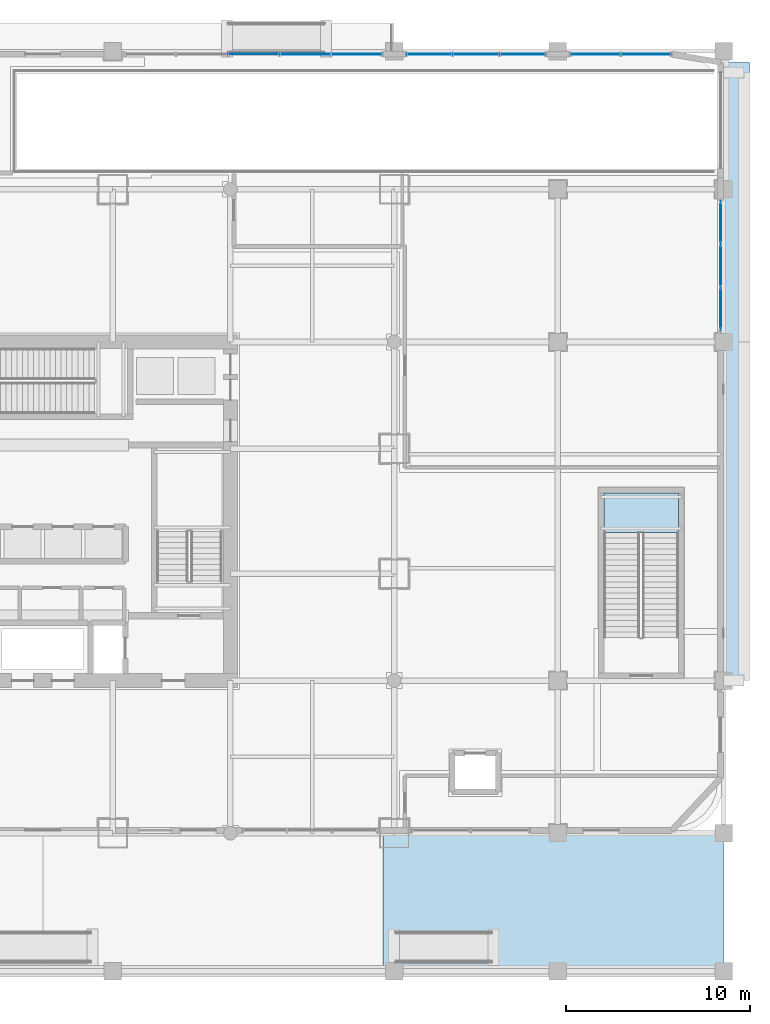
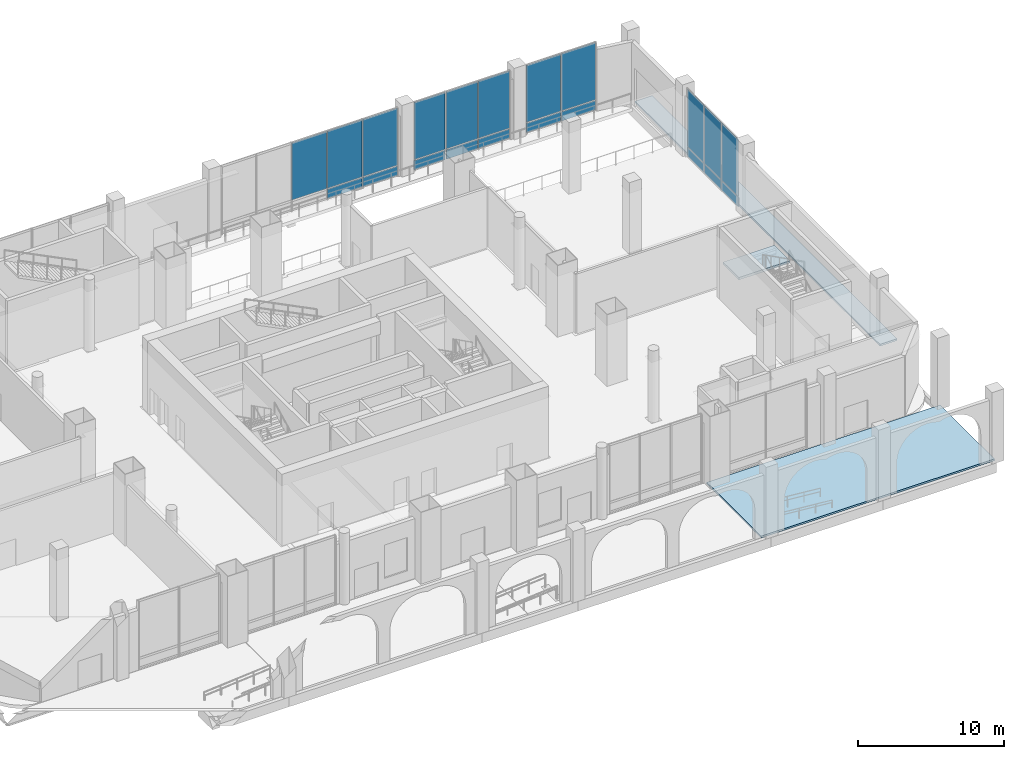
# One storey, part 18 of 32: 21 plates, 3 slabs, 5 elements without a shape of their own.
"""IFC4 building model written with IfcOpenShell, lengths in metres."""

from ifc_helpers import new_model, si_unit, direction, frame, origin, origin_2d, place, context, subcontext, project, spatial, polyline, rectangle, outline, extrude, material, layer, layer_set, type_object, element, aggregate, save


model = new_model("IFC4")

# Units and contexts
model_context = context("Model", 3, precision=1e-05, world=origin(), true_north=direction((0.0, 1.0)))
body_context = subcontext(model_context, "Body", "Model", "MODEL_VIEW")
ifc_project = project(units=[si_unit("LENGTHUNIT", "METRE"), si_unit("AREAUNIT", "SQUARE_METRE"), si_unit("VOLUMEUNIT", "CUBIC_METRE"), si_unit("PLANEANGLEUNIT", "RADIAN"), si_unit("MASSUNIT", "GRAM", prefix="KILO")], contexts=[model_context])

# Site, building, storey
site_placement = place(None, origin())
site = spatial("IfcSite", under=ifc_project, at=site_placement, CompositionType="ELEMENT")
building_placement = place(site_placement, origin())
building = spatial("IfcBuilding", under=site, at=building_placement, Name="Punatoya Terracotta Tower", CompositionType="ELEMENT")
storey_placement = place(building_placement, origin())
storey = spatial("IfcBuildingStorey", under=building, at=storey_placement, Name="L00", CompositionType="ELEMENT", Elevation=0.0)

# Curtain wall, plates
ifc_material_1 = material(Name="Aluminium 6063-T6 + Double Low-E Glass", Category="aluminium")
curtain_wall_type = type_object("IfcCurtainWallType", Name="CW-POD", PredefinedType="NOTDEFINED", material=ifc_material_1)
curtain_wall_1_placement = place(storey_placement, origin())
curtain_wall_1 = element("IfcCurtainWall", 1, at=curtain_wall_1_placement, inside=storey, type_object=curtain_wall_type, Name="L00 Curtain Wall CWP-L00-N2-1", PredefinedType="NOTDEFINED")
ifc_material_2 = material(Name="Double Low-E Clear Vision Glass", Category="glass")
ifc_layer_1 = layer(ifc_material_2, 0.028076171875)
ifc_layer_set_1 = layer_set([ifc_layer_1], Name="Double Low-E Clear Vision Glass")
plate_type_1 = type_object("IfcPlateType", Name="PLT-GLZ-28", PredefinedType="CURTAIN_PANEL", material=ifc_layer_set_1)
plate_1_placement = place(storey_placement, frame((11.449951171875, 24.840087890625, 0.889892578125), z_axis=(0.0, 0.0, 1.0), x_axis=(1.0, 0.0, 0.0)))
plate_1 = element("IfcPlate", 2, at=plate_1_placement, type_object=plate_type_1, Name="CWP-L00-N2-1 Vision Glass Panel 3", PredefinedType="CURTAIN_PANEL", context=body_context, shape_type="SweptSolid", body=[
    extrude(rectangle(XDim=2.72705078125, YDim=0.028076171875, at=origin_2d()), origin(), (0.0, 0.0, 1.0), 4.7900390625),
])
plate_2_placement = place(storey_placement, frame((14.261962890625, 24.840087890625, 0.889892578125), z_axis=(0.0, 0.0, 1.0), x_axis=(1.0, 0.0, 0.0)))
plate_2 = element("IfcPlate", 3, at=plate_2_placement, type_object=plate_type_1, Name="CWP-L00-N2-1 Vision Glass Panel 4", PredefinedType="CURTAIN_PANEL", context=body_context, shape_type="SweptSolid", body=[
    extrude(rectangle(XDim=2.72705078125, YDim=0.028076171875, at=origin_2d()), origin(), (0.0, 0.0, 1.0), 4.7900390625),
])
plate_3_placement = place(storey_placement, frame((17.073974609375, 24.840087890625, 0.889892578125), z_axis=(0.0, 0.0, 1.0), x_axis=(1.0, 0.0, 0.0)))
plate_3 = element("IfcPlate", 4, at=plate_3_placement, type_object=plate_type_1, Name="CWP-L00-N2-1 Vision Glass Panel 5", PredefinedType="CURTAIN_PANEL", context=body_context, shape_type="SweptSolid", body=[
    extrude(rectangle(XDim=2.72705078125, YDim=0.028076171875, at=origin_2d()), origin(), (0.0, 0.0, 1.0), 4.7900390625),
])

curtain_wall_2_placement = place(storey_placement, origin())
curtain_wall_2 = element("IfcCurtainWall", 5, at=curtain_wall_2_placement, inside=storey, type_object=curtain_wall_type, Name="L00 Curtain Wall CWP-L00-N2-2", PredefinedType="NOTDEFINED")
plate_4_placement = place(storey_placement, frame((20.99658203125, 24.840087890625, 0.889892578125), z_axis=(0.0, 0.0, 1.0), x_axis=(1.0, 0.0, 0.0)))
plate_4 = element("IfcPlate", 6, at=plate_4_placement, type_object=plate_type_1, Name="CWP-L00-N2-2 Vision Glass Panel 1", PredefinedType="CURTAIN_PANEL", context=body_context, shape_type="SweptSolid", body=[
    extrude(rectangle(XDim=2.46826171875, YDim=0.028076171875, at=origin_2d()), origin(), (0.0, 0.0, 1.0), 4.7900390625),
])
plate_5_placement = place(storey_placement, frame((23.550048828125, 24.840087890625, 0.889892578125), z_axis=(0.0, 0.0, 1.0), x_axis=(1.0, 0.0, 0.0)))
plate_5 = element("IfcPlate", 7, at=plate_5_placement, type_object=plate_type_1, Name="CWP-L00-N2-2 Vision Glass Panel 2", PredefinedType="CURTAIN_PANEL", context=body_context, shape_type="SweptSolid", body=[
    extrude(rectangle(XDim=2.46826171875, YDim=0.028076171875, at=origin_2d()), origin(), (0.0, 0.0, 1.0), 4.7900390625),
])
plate_6_placement = place(storey_placement, frame((26.103271484375, 24.840087890625, 0.889892578125), z_axis=(0.0, 0.0, 1.0), x_axis=(1.0, 0.0, 0.0)))
plate_6 = element("IfcPlate", 8, at=plate_6_placement, type_object=plate_type_1, Name="CWP-L00-N2-2 Vision Glass Panel 3", PredefinedType="CURTAIN_PANEL", context=body_context, shape_type="SweptSolid", body=[
    extrude(rectangle(XDim=2.46826171875, YDim=0.028076171875, at=origin_2d()), origin(), (0.0, 0.0, 1.0), 4.7900390625),
])

curtain_wall_3_placement = place(storey_placement, origin())
curtain_wall_3 = element("IfcCurtainWall", 9, at=curtain_wall_3_placement, inside=storey, type_object=curtain_wall_type, Name="L00 Curtain Wall CWP-L00-N2-3", PredefinedType="NOTDEFINED")
plate_7_placement = place(storey_placement, frame((30.014892578125, 24.840087890625, 0.889892578125), z_axis=(0.0, 0.0, 1.0), x_axis=(1.0, 0.0, 0.0)))
plate_7 = element("IfcPlate", 10, at=plate_7_placement, type_object=plate_type_1, Name="CWP-L00-N2-3 Vision Glass Panel 1", PredefinedType="CURTAIN_PANEL", context=body_context, shape_type="SweptSolid", body=[
    extrude(rectangle(XDim=2.705078125, YDim=0.028076171875, at=origin_2d()), origin(), (0.0, 0.0, 1.0), 4.7900390625),
])
plate_8_placement = place(storey_placement, frame((32.804931640625, 24.840087890625, 0.889892578125), z_axis=(0.0, 0.0, 1.0), x_axis=(1.0, 0.0, 0.0)))
plate_8 = element("IfcPlate", 11, at=plate_8_placement, type_object=plate_type_1, Name="CWP-L00-N2-3 Vision Glass Panel 2", PredefinedType="CURTAIN_PANEL", context=body_context, shape_type="SweptSolid", body=[
    extrude(rectangle(XDim=2.705078125, YDim=0.028076171875, at=origin_2d()), origin(), (0.0, 0.0, 1.0), 4.7900390625),
])

curtain_wall_4_placement = place(storey_placement, origin())
curtain_wall_4 = element("IfcCurtainWall", 12, at=curtain_wall_4_placement, inside=storey, type_object=curtain_wall_type, Name="L00 Curtain Wall CWP-L00-E1", PredefinedType="NOTDEFINED")
plate_9_placement = place(storey_placement, frame((36.840087890625, 15.703369140625, 0.889892578125), z_axis=(0.0, 0.0, 1.0), x_axis=(0.0, -1.0, 0.0)))
plate_9 = element("IfcPlate", 13, at=plate_9_placement, type_object=plate_type_1, Name="CWP-L00-E1 Vision Glass Panel 1", PredefinedType="CURTAIN_PANEL", context=body_context, shape_type="SweptSolid", body=[
    extrude(rectangle(XDim=2.268310546875, YDim=0.028076171875, at=origin_2d()), origin(), (0.0, 0.0, 1.0), 4.7900390625),
])
plate_10_placement = place(storey_placement, frame((36.840087890625, 13.35009765625, 0.889892578125), z_axis=(0.0, 0.0, 1.0), x_axis=(0.0, -1.0, 0.0)))
plate_10 = element("IfcPlate", 14, at=plate_10_placement, type_object=plate_type_1, Name="CWP-L00-E1 Vision Glass Panel 2", PredefinedType="CURTAIN_PANEL", context=body_context, shape_type="SweptSolid", body=[
    extrude(rectangle(XDim=2.268310546875, YDim=0.028076171875, at=origin_2d()), origin(), (0.0, 0.0, 1.0), 4.7900390625),
])
plate_11_placement = place(storey_placement, frame((36.840087890625, 10.99658203125, 0.889892578125), z_axis=(0.0, 0.0, 1.0), x_axis=(0.0, -1.0, 0.0)))
plate_11 = element("IfcPlate", 15, at=plate_11_placement, type_object=plate_type_1, Name="CWP-L00-E1 Vision Glass Panel 3", PredefinedType="CURTAIN_PANEL", context=body_context, shape_type="SweptSolid", body=[
    extrude(rectangle(XDim=2.268310546875, YDim=0.028076171875, at=origin_2d()), origin(), (0.0, 0.0, 1.0), 4.7900390625),
])

# Plate
ifc_material_3 = material(Name="Insulated Terracotta-Backed Spandrel Panel", Category="masonry")
ifc_layer_2 = layer(ifc_material_3, 0.044921875)
ifc_layer_set_2 = layer_set([ifc_layer_2], Name="Insulated Terracotta-Backed Spandrel Panel")
plate_type_2 = type_object("IfcPlateType", Name="PLT-SPN-45", PredefinedType="CURTAIN_PANEL", material=ifc_layer_set_2)
plate_12_placement = place(storey_placement, frame((14.261962890625, 24.840087890625, 0.0400390625), z_axis=(0.0, 0.0, 1.0), x_axis=(1.0, 0.0, 0.0)))
plate_12 = element("IfcPlate", 16, at=plate_12_placement, type_object=plate_type_2, Name="CWP-L00-N2-1 Terracotta Spandrel Panel 4", PredefinedType="CURTAIN_PANEL", context=body_context, shape_type="SweptSolid", body=[
    extrude(rectangle(XDim=2.72705078125, YDim=0.044921875, at=origin_2d()), origin(), (0.0, 0.0, 1.0), 0.77490234375),
])

plate_13_placement = place(storey_placement, frame((17.073974609375, 24.840087890625, 0.0400390625), z_axis=(0.0, 0.0, 1.0), x_axis=(1.0, 0.0, 0.0)))
plate_13 = element("IfcPlate", 17, at=plate_13_placement, type_object=plate_type_2, Name="CWP-L00-N2-1 Terracotta Spandrel Panel 5", PredefinedType="CURTAIN_PANEL", context=body_context, shape_type="SweptSolid", body=[
    extrude(rectangle(XDim=2.72705078125, YDim=0.044921875, at=origin_2d()), origin(), (0.0, 0.0, 1.0), 0.77490234375),
])

aggregate(curtain_wall_1, [plate_1, plate_12, plate_2, plate_13, plate_3])

plate_14_placement = place(storey_placement, frame((20.99658203125, 24.840087890625, 0.0400390625), z_axis=(0.0, 0.0, 1.0), x_axis=(1.0, 0.0, 0.0)))
plate_14 = element("IfcPlate", 18, at=plate_14_placement, type_object=plate_type_2, Name="CWP-L00-N2-2 Terracotta Spandrel Panel 1", PredefinedType="CURTAIN_PANEL", context=body_context, shape_type="SweptSolid", body=[
    extrude(rectangle(XDim=2.46826171875, YDim=0.044921875, at=origin_2d()), origin(), (0.0, 0.0, 1.0), 0.77490234375),
])

plate_15_placement = place(storey_placement, frame((23.550048828125, 24.840087890625, 0.0400390625), z_axis=(0.0, 0.0, 1.0), x_axis=(1.0, 0.0, 0.0)))
plate_15 = element("IfcPlate", 19, at=plate_15_placement, type_object=plate_type_2, Name="CWP-L00-N2-2 Terracotta Spandrel Panel 2", PredefinedType="CURTAIN_PANEL", context=body_context, shape_type="SweptSolid", body=[
    extrude(rectangle(XDim=2.46826171875, YDim=0.044921875, at=origin_2d()), origin(), (0.0, 0.0, 1.0), 0.77490234375),
])

plate_16_placement = place(storey_placement, frame((26.103271484375, 24.840087890625, 0.0400390625), z_axis=(0.0, 0.0, 1.0), x_axis=(1.0, 0.0, 0.0)))
plate_16 = element("IfcPlate", 20, at=plate_16_placement, type_object=plate_type_2, Name="CWP-L00-N2-2 Terracotta Spandrel Panel 3", PredefinedType="CURTAIN_PANEL", context=body_context, shape_type="SweptSolid", body=[
    extrude(rectangle(XDim=2.46826171875, YDim=0.044921875, at=origin_2d()), origin(), (0.0, 0.0, 1.0), 0.77490234375),
])

aggregate(curtain_wall_2, [plate_14, plate_4, plate_15, plate_5, plate_16, plate_6])

plate_17_placement = place(storey_placement, frame((30.014892578125, 24.840087890625, 0.0400390625), z_axis=(0.0, 0.0, 1.0), x_axis=(1.0, 0.0, 0.0)))
plate_17 = element("IfcPlate", 21, at=plate_17_placement, type_object=plate_type_2, Name="CWP-L00-N2-3 Terracotta Spandrel Panel 1", PredefinedType="CURTAIN_PANEL", context=body_context, shape_type="SweptSolid", body=[
    extrude(rectangle(XDim=2.705078125, YDim=0.044921875, at=origin_2d()), origin(), (0.0, 0.0, 1.0), 0.77490234375),
])

plate_18_placement = place(storey_placement, frame((32.804931640625, 24.840087890625, 0.0400390625), z_axis=(0.0, 0.0, 1.0), x_axis=(1.0, 0.0, 0.0)))
plate_18 = element("IfcPlate", 22, at=plate_18_placement, type_object=plate_type_2, Name="CWP-L00-N2-3 Terracotta Spandrel Panel 2", PredefinedType="CURTAIN_PANEL", context=body_context, shape_type="SweptSolid", body=[
    extrude(rectangle(XDim=2.705078125, YDim=0.044921875, at=origin_2d()), origin(), (0.0, 0.0, 1.0), 0.77490234375),
])

aggregate(curtain_wall_3, [plate_17, plate_7, plate_18, plate_8])

plate_19_placement = place(storey_placement, frame((36.840087890625, 15.703369140625, 0.0400390625), z_axis=(0.0, 0.0, 1.0), x_axis=(0.0, -1.0, 0.0)))
plate_19 = element("IfcPlate", 23, at=plate_19_placement, type_object=plate_type_2, Name="CWP-L00-E1 Terracotta Spandrel Panel 1", PredefinedType="CURTAIN_PANEL", context=body_context, shape_type="SweptSolid", body=[
    extrude(rectangle(XDim=2.268310546875, YDim=0.044921875, at=origin_2d()), origin(), (0.0, 0.0, 1.0), 0.77490234375),
])

plate_20_placement = place(storey_placement, frame((36.840087890625, 13.35009765625, 0.0400390625), z_axis=(0.0, 0.0, 1.0), x_axis=(0.0, -1.0, 0.0)))
plate_20 = element("IfcPlate", 24, at=plate_20_placement, type_object=plate_type_2, Name="CWP-L00-E1 Terracotta Spandrel Panel 2", PredefinedType="CURTAIN_PANEL", context=body_context, shape_type="SweptSolid", body=[
    extrude(rectangle(XDim=2.268310546875, YDim=0.044921875, at=origin_2d()), origin(), (0.0, 0.0, 1.0), 0.77490234375),
])

plate_21_placement = place(storey_placement, frame((36.840087890625, 10.99658203125, 0.0400390625), z_axis=(0.0, 0.0, 1.0), x_axis=(0.0, -1.0, 0.0)))
plate_21 = element("IfcPlate", 25, at=plate_21_placement, type_object=plate_type_2, Name="CWP-L00-E1 Terracotta Spandrel Panel 3", PredefinedType="CURTAIN_PANEL", context=body_context, shape_type="SweptSolid", body=[
    extrude(rectangle(XDim=2.268310546875, YDim=0.044921875, at=origin_2d()), origin(), (0.0, 0.0, 1.0), 0.77490234375),
])

aggregate(curtain_wall_4, [plate_19, plate_9, plate_20, plate_10, plate_21, plate_11])

# Stair, slab
ifc_material_4 = material(Name="Concrete C40/50", Category="concrete")
stair_type = type_object("IfcStairType", Name="STR-POD-1800", PredefinedType="HALF_TURN_STAIR", material=ifc_material_4)
stair_placement = place(storey_placement, origin())
stair = element("IfcStair", 26, at=stair_placement, inside=storey, type_object=stair_type, Name="L00 Podium East Exit Stair ST-P2", PredefinedType="HALF_TURN_STAIR")
ifc_layer_3 = layer(ifc_material_4, 0.179931640625)
ifc_layer_set_3 = layer_set([ifc_layer_3], Name="Concrete C40/50")
slab_type_1 = type_object("IfcSlabType", Name="SLB-LND-180", PredefinedType="LANDING", material=ifc_layer_set_3)
slab_1_placement = place(storey_placement, frame((0.0, 0.0, 2.800048828125)))
slab_1 = element("IfcSlab", 27, at=slab_1_placement, type_object=slab_type_1, Name="ST-P2 landing 1", PredefinedType="LANDING", context=body_context, shape_type="SweptSolid", body=[
    extrude(outline(polyline([(34.550048828125, -1.14990234375), (34.550048828125, 1.0), (30.5, 1.0), (30.5, -1.14990234375), (34.550048828125, -1.14990234375)])), origin(), (0.0, 0.0, 1.0), 0.199951171875),
])
aggregate(stair, [slab_1])

# Slabs
ifc_layer_4 = layer(ifc_material_4, 0.14990234375)
ifc_layer_set_4 = layer_set([ifc_layer_4], Name="Concrete C40/50")
slab_type_2 = type_object("IfcSlabType", Name="SLB-PAV-150", PredefinedType="USERDEFINED", material=ifc_layer_set_4)
slab_2_placement = place(storey_placement, frame((0.0, 0.0, -0.14990234375)))
element("IfcSlab", 28, at=slab_2_placement, inside=storey, type_object=slab_type_2, Name="Charbagh East Waterfront Promenade", ObjectType="PAVING", PredefinedType="USERDEFINED", context=body_context, shape_type="SweptSolid", body=[
    extrude(outline(polyline([(18.5, -25.0), (37.0, -25.0), (37.0, -17.5400390625), (18.5, -17.5400390625), (18.5, -25.0)])), origin(), (0.0, 0.0, 1.0), 0.14990234375),
])
slab_3_placement = place(storey_placement, frame((0.0, 0.0, -0.14990234375)))
element("IfcSlab", 29, at=slab_3_placement, inside=storey, type_object=slab_type_2, Name="East Car-Park & Loading Driveway Apron", ObjectType="PAVING", PredefinedType="USERDEFINED", context=body_context, shape_type="SweptSolid", body=[
    extrude(outline(polyline([(37.0400390625, -9.199951171875), (38.39990234375, -9.199951171875), (38.39990234375, 24.39990234375), (37.0400390625, 24.39990234375), (37.0400390625, -9.199951171875)])), origin(), (0.0, 0.0, 1.0), 0.14990234375),
])

save(model, "model.ifc")
